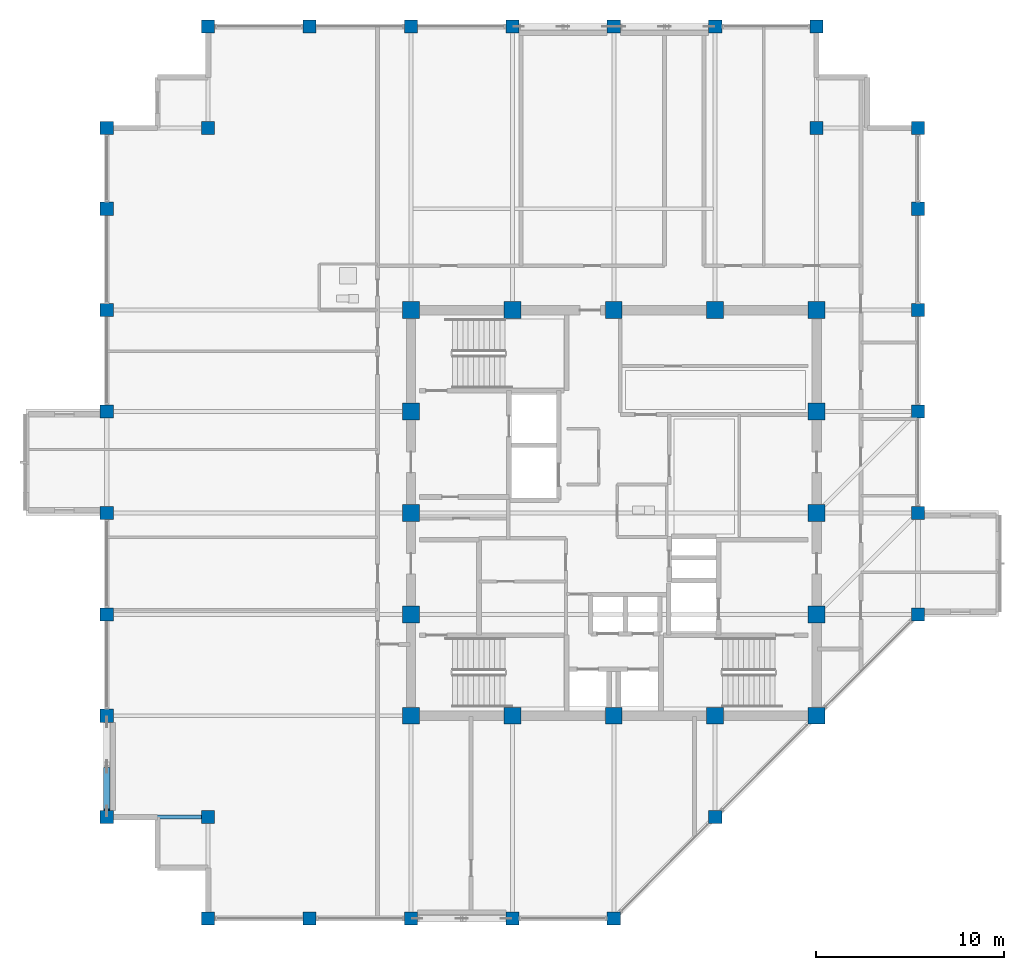
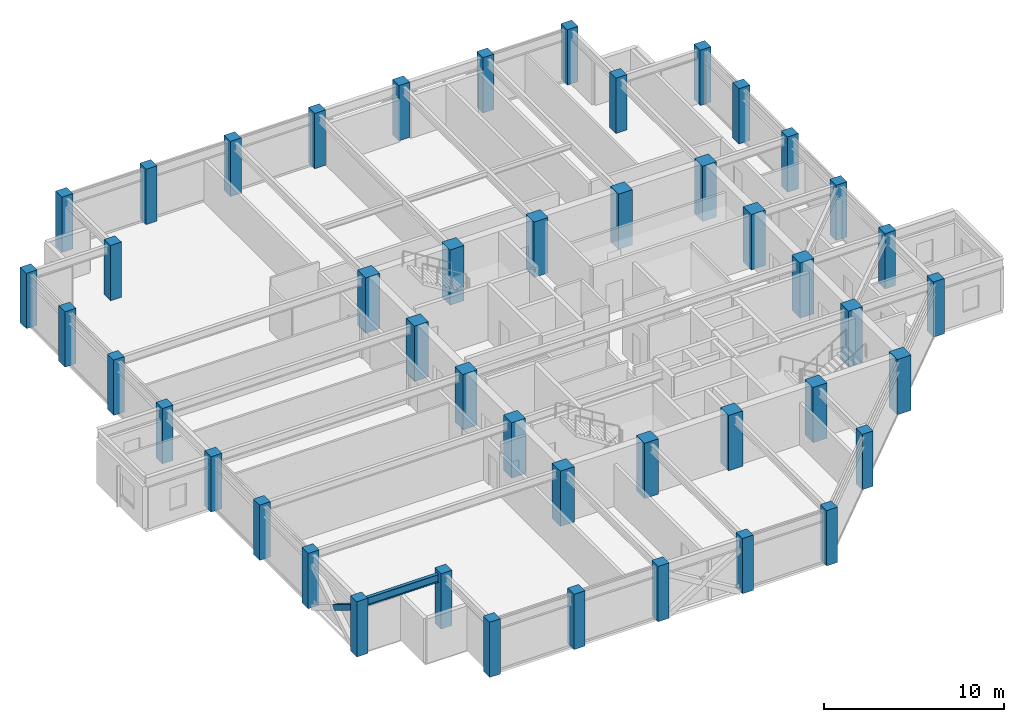
# One storey, part 1 of 31: 46 columns, 1 beam, 1 member.
"""IFC4 building model written with IfcOpenShell, lengths in metres."""

import ifcopenshell
import ifcopenshell.guid

model = None  # the IFC model being written
_history = None  # IfcOwnerHistory: only IFC2X3 demands one
_inside = {}  # id of a spatial element -> (the spatial element, [elements in it])
_under = {}  # id of a project, library or spatial element -> (it, [spatial elements below it])
_declared = {}  # id of a project -> (the project, [libraries it declares])
_typed = {}  # id of a type object -> (the type object, [elements of that type])
_made_of = {}  # id of a material, layer set ... -> (it, [elements and type objects made of it])


def new_model(schema):
    """Start an empty IFC model of exactly this schema.

    Asked for "IFC4X3", IfcOpenShell would pick the latest addendum, in which some entities
    have other attributes; the version numbers below select the first issue.
    IFC2X3 requires an IfcOwnerHistory on every rooted entity: one is made here for all.
    """
    global model, _history
    if schema == "IFC4X3":
        model = ifcopenshell.file(schema_version=(4, 3, 0, 0))
    else:
        model = ifcopenshell.file(schema=schema)
    _inside.clear()
    _under.clear()
    _declared.clear()
    _typed.clear()
    _made_of.clear()
    _history = None
    if model.schema == "IFC2X3":
        org = make("IfcOrganization", Name="unknown")
        user = make(
            "IfcPersonAndOrganization",
            ThePerson=make("IfcPerson", FamilyName="unknown"),
            TheOrganization=org,
        )
        app = make(
            "IfcApplication",
            ApplicationDeveloper=org,
            Version="unknown",
            ApplicationFullName="unknown",
            ApplicationIdentifier="unknown",
        )
        _history = make(
            "IfcOwnerHistory",
            OwningUser=user,
            OwningApplication=app,
            ChangeAction="ADDED",
            CreationDate=0,
        )
    return model


def make(cls, **values):
    """One entity of the class cls with the attributes given. An attribute that is None is left unset."""
    return model.create_entity(
        cls, **{name: value for name, value in values.items() if value is not None}
    )


def rooted(cls, **values):
    """An entity with a GlobalId (a new one), such as an element, a storey or a relation."""
    return make(cls, GlobalId=ifcopenshell.guid.new(), OwnerHistory=_history, **values)


def si_unit(unit_type, name, prefix=None):
    """IfcSIUnit, for example si_unit("LENGTHUNIT", "METRE", prefix="MILLI")."""
    return make("IfcSIUnit", UnitType=unit_type, Prefix=prefix, Name=name)


def assignment(units):
    """IfcUnitAssignment: the units of a project."""
    return None if units is None else make("IfcUnitAssignment", Units=units)


def point(xyz):
    """IfcCartesianPoint."""
    return None if xyz is None else make("IfcCartesianPoint", Coordinates=xyz)


def direction(xyz):
    """IfcDirection."""
    return None if xyz is None else make("IfcDirection", DirectionRatios=xyz)


def frame(location, z_axis=None, x_axis=None):
    """IfcAxis2Placement3D, a coordinate frame: its origin and axes. An axis left out is left unset."""
    return make(
        "IfcAxis2Placement3D",
        Location=point(location),
        Axis=direction(z_axis),
        RefDirection=direction(x_axis),
    )


def frame_2d(location, x_axis=None):
    """IfcAxis2Placement2D, a coordinate frame in the plane: its origin and x axis."""
    return make(
        "IfcAxis2Placement2D", Location=point(location), RefDirection=direction(x_axis)
    )


def origin():
    """The frame at (0, 0, 0) with its axes left unset."""
    return frame((0.0, 0.0, 0.0))


def origin_2d():
    """The frame at (0, 0) in the plane with its x axis left unset."""
    return frame_2d((0.0, 0.0))


def place(relative_to, where):
    """IfcLocalPlacement: puts the frame where relative to a parent placement (None: the world)."""
    return make(
        "IfcLocalPlacement", PlacementRelTo=relative_to, RelativePlacement=where
    )


def context(
    kind, dimensions, precision=None, world=None, true_north=None, identifier=None
):
    """IfcGeometricRepresentationContext, for example the 3D "Model" context."""
    return make(
        "IfcGeometricRepresentationContext",
        ContextIdentifier=identifier,
        ContextType=kind,
        CoordinateSpaceDimension=dimensions,
        Precision=precision,
        WorldCoordinateSystem=world,
        TrueNorth=true_north,
    )


def subcontext(parent, identifier, kind, view, scale=None):
    """IfcGeometricRepresentationSubContext, for example "Body" below "Model"."""
    return make(
        "IfcGeometricRepresentationSubContext",
        ContextIdentifier=identifier,
        ContextType=kind,
        ParentContext=parent,
        TargetScale=scale,
        TargetView=view,
    )


def project(units=None, contexts=None):
    """IfcProject with its units and contexts."""
    return rooted(
        "IfcProject",
        Name="project",
        RepresentationContexts=contexts,
        UnitsInContext=assignment(units),
    )


def spatial(cls, under=None, at=None, **own):
    """A site, building, storey or space (cls), placed at a placement, below another one or the project."""
    s = rooted(cls, ObjectPlacement=at, **own)
    if under is not None:
        _under.setdefault(under.id(), (under, []))[1].append(s)
    return s


def profile(cls, at=None, kind="AREA", **sizes):
    """A parametric profile (cls). Its sizes go by their IFC names, for example OverallWidth=200.0."""
    return make(cls, ProfileType=kind, Position=at, **sizes)


def rectangle(**sizes):
    """IfcRectangleProfileDef."""
    return profile("IfcRectangleProfileDef", **sizes)


def hollow_rectangle(**sizes):
    """IfcRectangleHollowProfileDef."""
    return profile("IfcRectangleHollowProfileDef", **sizes)


def i_section(**sizes):
    """IfcIShapeProfileDef."""
    return profile("IfcIShapeProfileDef", **sizes)


def extrude(swept, where, along, depth):
    """IfcExtrudedAreaSolid: the profile swept, set in the frame where, extruded along a direction by depth."""
    return make(
        "IfcExtrudedAreaSolid",
        SweptArea=swept,
        Position=where,
        ExtrudedDirection=direction(along),
        Depth=depth,
    )


def shape(context_of_items, identifier, shape_type, items):
    """IfcShapeRepresentation: the items that make up one representation, for example the "Body"."""
    return make(
        "IfcShapeRepresentation",
        ContextOfItems=context_of_items,
        RepresentationIdentifier=identifier,
        RepresentationType=shape_type,
        Items=items,
    )


def material(Name=None, Category=None):
    """IfcMaterial."""
    return make("IfcMaterial", Name=Name, Category=Category)


def material_profile(
    of_material, cross_section, Name=None, Category=None, Priority=None
):
    """IfcMaterialProfile: a cross section and its material."""
    return make(
        "IfcMaterialProfile",
        Name=Name,
        Material=of_material,
        Profile=cross_section,
        Priority=Priority,
        Category=Category,
    )


def profile_set(profiles, Name=None, composite=None):
    """IfcMaterialProfileSet."""
    return make(
        "IfcMaterialProfileSet",
        Name=Name,
        MaterialProfiles=profiles,
        CompositeProfile=composite,
    )


def made_of(thing, what):
    """Note that an element or type object is made of a material, layer set ...; save() writes the relation."""
    if what is not None:
        _made_of.setdefault(what.id(), (what, []))[1].append(thing)
    return thing


def type_object(cls, material=None, **own):
    """A type object (cls), such as IfcWallType, which elements share."""
    return made_of(rooted(cls, **own), material)


def element(
    cls,
    number,
    at=None,
    inside=None,
    cuts=None,
    type_object=None,
    material=None,
    context=None,
    identifier="Body",
    shape_type=None,
    held_by="IfcProductDefinitionShape",
    body=None,
    shapes=None,
    **own,
):
    """One element of the class cls, such as IfcWall. Its Tag is "e" and its number.

    at: its placement. inside: the storey or other place that contains it. cuts: it is an
    opening in that element (IfcRelVoidsElement). A single representation is given by context,
    identifier, shape_type and body (its items); several are given by shapes. held_by: the class
    of the entity that holds the representations. save() writes the other relations.
    """
    e = rooted(cls, Tag="e%d" % number, ObjectPlacement=at, **own)
    if body is not None:
        shapes = [shape(context, identifier, shape_type, body)]
    if shapes is not None:
        e.Representation = make(held_by, Representations=shapes)
    if inside is not None:
        _inside.setdefault(inside.id(), (inside, []))[1].append(e)
    if cuts is not None:
        rooted(
            "IfcRelVoidsElement", RelatingBuildingElement=cuts, RelatedOpeningElement=e
        )
    if type_object is not None:
        _typed.setdefault(type_object.id(), (type_object, []))[1].append(e)
    return made_of(e, material)


def aggregate(whole, parts):
    """IfcRelAggregates: a whole, such as a stair, and the parts it consists of."""
    return rooted("IfcRelAggregates", RelatingObject=whole, RelatedObjects=parts)


def save(model, path):
    """Write the relations noted so far, then the file.

    IfcRelAggregates (storeys below a building ...), IfcRelContainedInSpatialStructure (elements
    in a storey), IfcRelDefinesByType, IfcRelAssociatesMaterial and IfcRelDeclares: one each for
    every whole, place, type object, material and project.
    """
    for whole, parts in _under.values():
        aggregate(whole, parts)
    for where, things in _inside.values():
        rooted(
            "IfcRelContainedInSpatialStructure",
            RelatedElements=things,
            RelatingStructure=where,
        )
    for kind, things in _typed.values():
        rooted("IfcRelDefinesByType", RelatedObjects=things, RelatingType=kind)
    for what, things in _made_of.values():
        rooted("IfcRelAssociatesMaterial", RelatedObjects=things, RelatingMaterial=what)
    for by, libraries in _declared.values():
        rooted("IfcRelDeclares", RelatingContext=by, RelatedDefinitions=libraries)
    model.write(path)


model = new_model("IFC4")

# Units and contexts
model_context = context("Model", 3, precision=1e-05, world=origin(), true_north=direction((0.0, 1.0)))
body_context = subcontext(model_context, "Body", "Model", "MODEL_VIEW")
ifc_project = project(units=[si_unit("LENGTHUNIT", "METRE"), si_unit("AREAUNIT", "SQUARE_METRE"), si_unit("VOLUMEUNIT", "CUBIC_METRE"), si_unit("PLANEANGLEUNIT", "RADIAN"), si_unit("MASSUNIT", "GRAM", prefix="KILO")], contexts=[model_context])

# Site, building, storey
site_placement = place(None, origin())
site = spatial("IfcSite", under=ifc_project, at=site_placement, CompositionType="ELEMENT")
building_placement = place(site_placement, origin())
building = spatial("IfcBuilding", under=site, at=building_placement, Name="Surkhivell Harbour Commons", CompositionType="ELEMENT")
storey_placement = place(building_placement, frame((0.0, 0.0, 322.5)))
storey = spatial("IfcBuildingStorey", under=building, at=storey_placement, Name="L84", CompositionType="ELEMENT", Elevation=322.5)

# Columns
ifc_material_1 = material(Name="Concrete C60/75", Category="concrete")
ifc_material_profile_1 = material_profile(ifc_material_1, rectangle(XDim=0.89990234375, YDim=0.89990234375, at=origin_2d()), Name="RC-COL-900x900")
ifc_profile_set_1 = profile_set([ifc_material_profile_1], Name="Concrete C60/75")
column_type_1 = type_object("IfcColumnType", Name="COL-TUBE-Z3A", PredefinedType="COLUMN", material=ifc_profile_set_1)
for number, where, z_axis, x_axis, name in (
    (1, (-10.800048828125, -10.800048828125, 0.0), (0.0, 0.0, 1.0), (1.0, 0.0, 0.0), "L84 Column CT-3A (-10.8,-10.8)"),
    (2, (-10.800048828125, -5.39990234375, 0.0), (0.0, 0.0, 1.0), (1.0, 0.0, 0.0), "L84 Column CT-3A (-10.8,-5.4)"),
    (3, (-10.800048828125, 0.0, 0.0), (0.0, 0.0, 1.0), (1.0, 0.0, 0.0), "L84 Column CT-3A (-10.8,0.0)"),
    (4, (-10.800048828125, 5.39990234375, 0.0), (0.0, 0.0, 1.0), (1.0, 0.0, 0.0), "L84 Column CT-3A (-10.8,5.4)"),
    (5, (-10.800048828125, 10.800048828125, 0.0), (0.0, 0.0, 1.0), (1.0, 0.0, 0.0), "L84 Column CT-3A (-10.8,10.8)"),
    (6, (-5.39990234375, -10.800048828125, 0.0), (0.0, 0.0, 1.0), (1.0, 0.0, 0.0), "L84 Column CT-3A (-5.4,-10.8)"),
    (7, (-5.39990234375, 10.800048828125, 0.0), (0.0, 0.0, 1.0), (1.0, 0.0, 0.0), "L84 Column CT-3A (-5.4,10.8)"),
    (8, (0.0, -10.800048828125, 0.0), (0.0, 0.0, 1.0), (1.0, 0.0, 0.0), "L84 Column CT-3A (0.0,-10.8)"),
    (9, (0.0, 10.800048828125, 0.0), (0.0, 0.0, 1.0), (1.0, 0.0, 0.0), "L84 Column CT-3A (0.0,10.8)"),
    (10, (5.39990234375, -10.800048828125, 0.0), (0.0, 0.0, 1.0), (1.0, 0.0, 0.0), "L84 Column CT-3A (5.4,-10.8)"),
    (11, (5.39990234375, 10.800048828125, 0.0), (0.0, 0.0, 1.0), (1.0, 0.0, 0.0), "L84 Column CT-3A (5.4,10.8)"),
    (12, (10.800048828125, -10.800048828125, 0.0), (0.0, 0.0, 1.0), (1.0, 0.0, 0.0), "L84 Column CT-3A (10.8,-10.8)"),
    (13, (10.800048828125, -5.39990234375, 0.0), (0.0, 0.0, 1.0), (1.0, 0.0, 0.0), "L84 Column CT-3A (10.8,-5.4)"),
    (14, (10.800048828125, 0.0, 0.0), (0.0, 0.0, 1.0), (1.0, 0.0, 0.0), "L84 Column CT-3A (10.8,0.0)"),
    (15, (10.800048828125, 5.39990234375, 0.0), (0.0, 0.0, 1.0), (1.0, 0.0, 0.0), "L84 Column CT-3A (10.8,5.4)"),
    (16, (10.800048828125, 10.800048828125, 0.0), (0.0, 0.0, 1.0), (1.0, 0.0, 0.0), "L84 Column CT-3A (10.8,10.8)"),
):
    element("IfcColumn", number, at=place(storey_placement, frame(where, z_axis=z_axis, x_axis=x_axis)), inside=storey, type_object=column_type_1, Name=name, PredefinedType="COLUMN", context=body_context, shape_type="SweptSolid", body=[
        extrude(rectangle(XDim=0.89990234375, YDim=0.89990234375, at=origin_2d()), origin(), (0.0, 0.0, 1.0), 3.75),
    ])
ifc_material_2 = material(Name="Concrete C50/60", Category="concrete")
ifc_material_profile_2 = material_profile(ifc_material_2, rectangle(XDim=0.699951171875, YDim=0.699951171875, at=origin_2d()), Name="RC-COL-700x700")
ifc_profile_set_2 = profile_set([ifc_material_profile_2], Name="Concrete C50/60")
column_type_2 = type_object("IfcColumnType", Name="COL-TUBE-Z4", PredefinedType="COLUMN", material=ifc_profile_set_2)
for number, where, z_axis, x_axis, name in (
    (17, (-27.0, -16.199951171875, 0.0), (0.0, 0.0, 1.0), (1.0, 0.0, 0.0), "L84 Column CT-4 (-27.0,-16.2)"),
    (18, (-27.0, -10.800048828125, 0.0), (0.0, 0.0, 1.0), (1.0, 0.0, 0.0), "L84 Column CT-4 (-27.0,-10.8)"),
    (19, (-27.0, -5.39990234375, 0.0), (0.0, 0.0, 1.0), (1.0, 0.0, 0.0), "L84 Column CT-4 (-27.0,-5.4)"),
    (20, (-27.0, 0.0, 0.0), (0.0, 0.0, 1.0), (1.0, 0.0, 0.0), "L84 Column CT-4 (-27.0,0.0)"),
    (21, (-27.0, 5.39990234375, 0.0), (0.0, 0.0, 1.0), (1.0, 0.0, 0.0), "L84 Column CT-4 (-27.0,5.4)"),
    (22, (-27.0, 10.800048828125, 0.0), (0.0, 0.0, 1.0), (1.0, 0.0, 0.0), "L84 Column CT-4 (-27.0,10.8)"),
    (23, (-27.0, 16.199951171875, 0.0), (0.0, 0.0, 1.0), (1.0, 0.0, 0.0), "L84 Column CT-4 (-27.0,16.2)"),
    (24, (-27.0, 20.5, 0.0), (0.0, 0.0, 1.0), (1.0, 0.0, 0.0), "L84 Column CT-4 (-27.0,20.5)"),
    (25, (-21.60009765625, -21.60009765625, 0.0), (0.0, 0.0, 1.0), (1.0, 0.0, 0.0), "L84 Column CT-4 (-21.6,-21.6)"),
    (26, (-21.60009765625, -16.199951171875, 0.0), (0.0, 0.0, 1.0), (1.0, 0.0, 0.0), "L84 Column CT-4 (-21.6,-16.2)"),
    (27, (-21.60009765625, 20.5, 0.0), (0.0, 0.0, 1.0), (1.0, 0.0, 0.0), "L84 Column CT-4 (-21.6,20.5)"),
    (28, (-21.60009765625, 25.89990234375, 0.0), (0.0, 0.0, 1.0), (1.0, 0.0, 0.0), "L84 Column CT-4 (-21.6,25.9)"),
    (29, (-16.199951171875, -21.60009765625, 0.0), (0.0, 0.0, 1.0), (1.0, 0.0, 0.0), "L84 Column CT-4 (-16.2,-21.6)"),
    (30, (-16.199951171875, 25.89990234375, 0.0), (0.0, 0.0, 1.0), (1.0, 0.0, 0.0), "L84 Column CT-4 (-16.2,25.9)"),
    (31, (-10.800048828125, -21.60009765625, 0.0), (0.0, 0.0, 1.0), (1.0, 0.0, 0.0), "L84 Column CT-4 (-10.8,-21.6)"),
    (32, (-10.800048828125, 25.89990234375, 0.0), (0.0, 0.0, 1.0), (1.0, 0.0, 0.0), "L84 Column CT-4 (-10.8,25.9)"),
    (33, (-5.39990234375, -21.60009765625, 0.0), (0.0, 0.0, 1.0), (1.0, 0.0, 0.0), "L84 Column CT-4 (-5.4,-21.6)"),
    (34, (-5.39990234375, 25.89990234375, 0.0), (0.0, 0.0, 1.0), (1.0, 0.0, 0.0), "L84 Column CT-4 (-5.4,25.9)"),
    (35, (0.0, -21.60009765625, 0.0), (0.0, 0.0, 1.0), (1.0, 0.0, 0.0), "L84 Column CT-4 (-0.0,-21.6)"),
    (36, (0.0, 25.89990234375, 0.0), (0.0, 0.0, 1.0), (1.0, 0.0, 0.0), "L84 Column CT-4 (-0.0,25.9)"),
    (37, (5.39990234375, -16.199951171875, 0.0), (0.0, 0.0, 1.0), (1.0, 0.0, 0.0), "L84 Column CT-4 (5.4,-16.2)"),
    (38, (5.39990234375, 25.89990234375, 0.0), (0.0, 0.0, 1.0), (1.0, 0.0, 0.0), "L84 Column CT-4 (5.4,25.9)"),
    (39, (10.800048828125, 20.5, 0.0), (0.0, 0.0, 1.0), (1.0, 0.0, 0.0), "L84 Column CT-4 (10.8,20.5)"),
    (40, (10.800048828125, 25.89990234375, 0.0), (0.0, 0.0, 1.0), (1.0, 0.0, 0.0), "L84 Column CT-4 (10.8,25.9)"),
    (41, (16.199951171875, -5.39990234375, 0.0), (0.0, 0.0, 1.0), (1.0, 0.0, 0.0), "L84 Column CT-4 (16.2,-5.4)"),
    (42, (16.199951171875, 0.0, 0.0), (0.0, 0.0, 1.0), (1.0, 0.0, 0.0), "L84 Column CT-4 (16.2,0.0)"),
    (43, (16.199951171875, 5.39990234375, 0.0), (0.0, 0.0, 1.0), (1.0, 0.0, 0.0), "L84 Column CT-4 (16.2,5.4)"),
    (44, (16.199951171875, 10.800048828125, 0.0), (0.0, 0.0, 1.0), (1.0, 0.0, 0.0), "L84 Column CT-4 (16.2,10.8)"),
    (45, (16.199951171875, 16.199951171875, 0.0), (0.0, 0.0, 1.0), (1.0, 0.0, 0.0), "L84 Column CT-4 (16.2,16.2)"),
    (46, (16.199951171875, 20.5, 0.0), (0.0, 0.0, 1.0), (1.0, 0.0, 0.0), "L84 Column CT-4 (16.2,20.5)"),
):
    element("IfcColumn", number, at=place(storey_placement, frame(where, z_axis=z_axis, x_axis=x_axis)), inside=storey, type_object=column_type_2, Name=name, PredefinedType="COLUMN", context=body_context, shape_type="SweptSolid", body=[
        extrude(rectangle(XDim=0.699951171875, YDim=0.699951171875, at=origin_2d()), origin(), (0.0, 0.0, 1.0), 3.75),
    ])

# Beam
ifc_material_3 = material(Name="Steel S355", Category="steel")
ifc_material_profile_3 = material_profile(ifc_material_3, i_section(OverallWidth=0.2099609375, OverallDepth=0.537109375, WebThickness=0.0107421875, FlangeThickness=0.017333984375, at=origin_2d()), Name="UB533x210x101")
ifc_profile_set_3 = profile_set([ifc_material_profile_3], Name="Steel S355")
beam_type = type_object("IfcBeamType", Name="BM-GRD-533B", PredefinedType="BEAM", material=ifc_profile_set_3)
beam_placement = place(storey_placement, frame((-27.0, -16.199951171875, 3.301513671875), z_axis=(1.0, 0.0, 0.0), x_axis=(0.0, 1.0, 0.0)))
element("IfcBeam", 47, at=beam_placement, inside=storey, type_object=beam_type, Name="L84 Floor Girder (-27.0,-16.2)", PredefinedType="BEAM", context=body_context, shape_type="SweptSolid", body=[
    extrude(i_section(OverallWidth=0.2099609375, OverallDepth=0.537109375, WebThickness=0.0107421875, FlangeThickness=0.017333984375, at=origin_2d()), origin(), (0.0, 0.0, 1.0), 5.39990234375),
])

# Member
ifc_material_profile_4 = material_profile(ifc_material_3, hollow_rectangle(XDim=0.35009765625, YDim=0.35009765625, WallThickness=0.01611328125, at=origin_2d()), Name="SHS350x350x16")
ifc_profile_set_4 = profile_set([ifc_material_profile_4], Name="Steel S355")
member_type = type_object("IfcMemberType", Name="MEM-BRC-SHS350", PredefinedType="BRACE", material=ifc_profile_set_4)
member_placement = place(storey_placement, frame((-27.0, -13.6435546875, 1.53173828125), z_axis=(0.0, -0.854678858595, 0.51915705588), x_axis=(1.0, 0.0, 0.0)))
element("IfcMember", 48, at=member_placement, inside=storey, type_object=member_type, Name="L84 Perimeter Mega-Brace MB- 12", PredefinedType="BRACE", context=body_context, shape_type="SweptSolid", body=[
    extrude(hollow_rectangle(XDim=0.35009765625, YDim=0.35009765625, WallThickness=0.01611328125, at=origin_2d()), origin(), (0.0, 0.0, 1.0), 2.59912109375),
])

save(model, "model.ifc")
